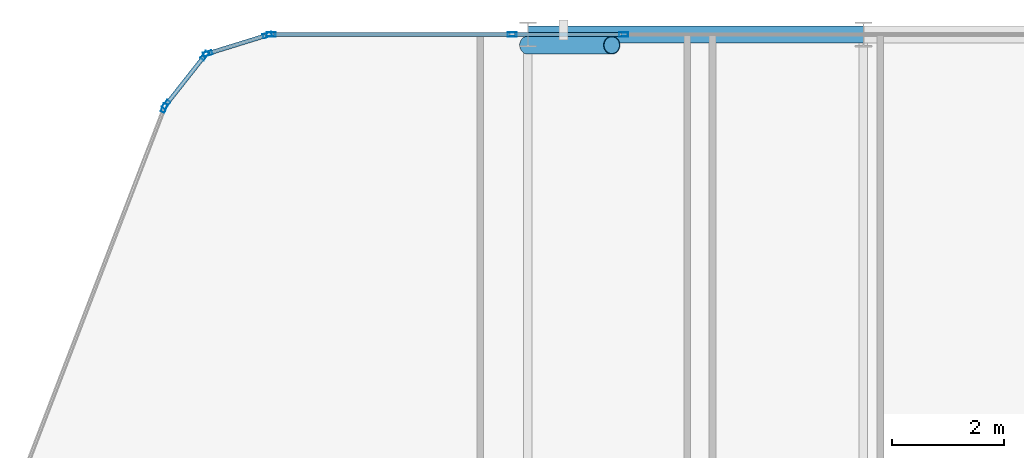
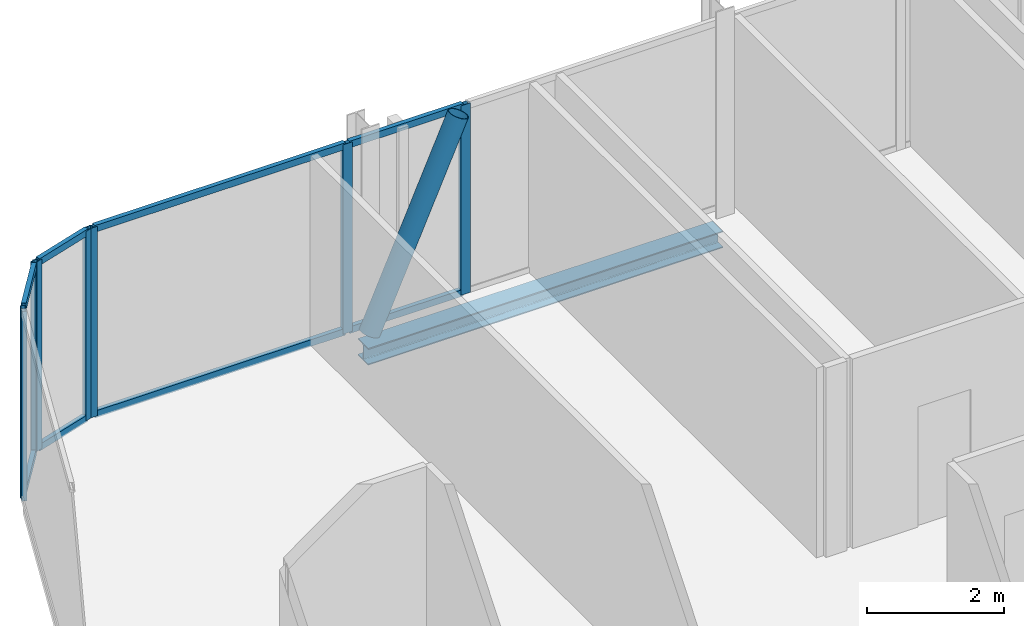
# One storey, part 18 of 29: 17 members, 1 beam, 5 elements without a shape of their own.
"""IFC4 building model written with IfcOpenShell, lengths in metres."""

import ifcopenshell
import ifcopenshell.guid

model = None  # the IFC model being written
_history = None  # IfcOwnerHistory: only IFC2X3 demands one
_inside = {}  # id of a spatial element -> (the spatial element, [elements in it])
_under = {}  # id of a project, library or spatial element -> (it, [spatial elements below it])
_declared = {}  # id of a project -> (the project, [libraries it declares])
_typed = {}  # id of a type object -> (the type object, [elements of that type])
_made_of = {}  # id of a material, layer set ... -> (it, [elements and type objects made of it])


def new_model(schema):
    """Start an empty IFC model of exactly this schema.

    Asked for "IFC4X3", IfcOpenShell would pick the latest addendum, in which some entities
    have other attributes; the version numbers below select the first issue.
    IFC2X3 requires an IfcOwnerHistory on every rooted entity: one is made here for all.
    """
    global model, _history
    if schema == "IFC4X3":
        model = ifcopenshell.file(schema_version=(4, 3, 0, 0))
    else:
        model = ifcopenshell.file(schema=schema)
    _inside.clear()
    _under.clear()
    _declared.clear()
    _typed.clear()
    _made_of.clear()
    _history = None
    if model.schema == "IFC2X3":
        org = make("IfcOrganization", Name="unknown")
        user = make(
            "IfcPersonAndOrganization",
            ThePerson=make("IfcPerson", FamilyName="unknown"),
            TheOrganization=org,
        )
        app = make(
            "IfcApplication",
            ApplicationDeveloper=org,
            Version="unknown",
            ApplicationFullName="unknown",
            ApplicationIdentifier="unknown",
        )
        _history = make(
            "IfcOwnerHistory",
            OwningUser=user,
            OwningApplication=app,
            ChangeAction="ADDED",
            CreationDate=0,
        )
    return model


def make(cls, **values):
    """One entity of the class cls with the attributes given. An attribute that is None is left unset."""
    return model.create_entity(
        cls, **{name: value for name, value in values.items() if value is not None}
    )


def rooted(cls, **values):
    """An entity with a GlobalId (a new one), such as an element, a storey or a relation."""
    return make(cls, GlobalId=ifcopenshell.guid.new(), OwnerHistory=_history, **values)


def si_unit(unit_type, name, prefix=None):
    """IfcSIUnit, for example si_unit("LENGTHUNIT", "METRE", prefix="MILLI")."""
    return make("IfcSIUnit", UnitType=unit_type, Prefix=prefix, Name=name)


def assignment(units):
    """IfcUnitAssignment: the units of a project."""
    return None if units is None else make("IfcUnitAssignment", Units=units)


def point(xyz):
    """IfcCartesianPoint."""
    return None if xyz is None else make("IfcCartesianPoint", Coordinates=xyz)


def direction(xyz):
    """IfcDirection."""
    return None if xyz is None else make("IfcDirection", DirectionRatios=xyz)


def frame(location, z_axis=None, x_axis=None):
    """IfcAxis2Placement3D, a coordinate frame: its origin and axes. An axis left out is left unset."""
    return make(
        "IfcAxis2Placement3D",
        Location=point(location),
        Axis=direction(z_axis),
        RefDirection=direction(x_axis),
    )


def frame_2d(location, x_axis=None):
    """IfcAxis2Placement2D, a coordinate frame in the plane: its origin and x axis."""
    return make(
        "IfcAxis2Placement2D", Location=point(location), RefDirection=direction(x_axis)
    )


def origin():
    """The frame at (0, 0, 0) with its axes left unset."""
    return frame((0.0, 0.0, 0.0))


def origin_2d():
    """The frame at (0, 0) in the plane with its x axis left unset."""
    return frame_2d((0.0, 0.0))


def place(relative_to, where):
    """IfcLocalPlacement: puts the frame where relative to a parent placement (None: the world)."""
    return make(
        "IfcLocalPlacement", PlacementRelTo=relative_to, RelativePlacement=where
    )


def context(
    kind, dimensions, precision=None, world=None, true_north=None, identifier=None
):
    """IfcGeometricRepresentationContext, for example the 3D "Model" context."""
    return make(
        "IfcGeometricRepresentationContext",
        ContextIdentifier=identifier,
        ContextType=kind,
        CoordinateSpaceDimension=dimensions,
        Precision=precision,
        WorldCoordinateSystem=world,
        TrueNorth=true_north,
    )


def subcontext(parent, identifier, kind, view, scale=None):
    """IfcGeometricRepresentationSubContext, for example "Body" below "Model"."""
    return make(
        "IfcGeometricRepresentationSubContext",
        ContextIdentifier=identifier,
        ContextType=kind,
        ParentContext=parent,
        TargetScale=scale,
        TargetView=view,
    )


def project(units=None, contexts=None):
    """IfcProject with its units and contexts."""
    return rooted(
        "IfcProject",
        Name="project",
        RepresentationContexts=contexts,
        UnitsInContext=assignment(units),
    )


def spatial(cls, under=None, at=None, **own):
    """A site, building, storey or space (cls), placed at a placement, below another one or the project."""
    s = rooted(cls, ObjectPlacement=at, **own)
    if under is not None:
        _under.setdefault(under.id(), (under, []))[1].append(s)
    return s


def profile(cls, at=None, kind="AREA", **sizes):
    """A parametric profile (cls). Its sizes go by their IFC names, for example OverallWidth=200.0."""
    return make(cls, ProfileType=kind, Position=at, **sizes)


def hollow_rectangle(**sizes):
    """IfcRectangleHollowProfileDef."""
    return profile("IfcRectangleHollowProfileDef", **sizes)


def hollow_circle(**sizes):
    """IfcCircleHollowProfileDef."""
    return profile("IfcCircleHollowProfileDef", **sizes)


def i_section(**sizes):
    """IfcIShapeProfileDef."""
    return profile("IfcIShapeProfileDef", **sizes)


def extrude(swept, where, along, depth):
    """IfcExtrudedAreaSolid: the profile swept, set in the frame where, extruded along a direction by depth."""
    return make(
        "IfcExtrudedAreaSolid",
        SweptArea=swept,
        Position=where,
        ExtrudedDirection=direction(along),
        Depth=depth,
    )


def shape(context_of_items, identifier, shape_type, items):
    """IfcShapeRepresentation: the items that make up one representation, for example the "Body"."""
    return make(
        "IfcShapeRepresentation",
        ContextOfItems=context_of_items,
        RepresentationIdentifier=identifier,
        RepresentationType=shape_type,
        Items=items,
    )


def material(Name=None, Category=None):
    """IfcMaterial."""
    return make("IfcMaterial", Name=Name, Category=Category)


def layer(
    of_material, thickness, ventilated=None, Name=None, Category=None, Priority=None
):
    """IfcMaterialLayer: one layer of a wall or slab, of a material (None: an air gap)."""
    return make(
        "IfcMaterialLayer",
        Material=of_material,
        LayerThickness=thickness,
        IsVentilated=ventilated,
        Name=Name,
        Category=Category,
        Priority=Priority,
    )


def layer_set(layers, Name=None):
    """IfcMaterialLayerSet."""
    return make("IfcMaterialLayerSet", MaterialLayers=layers, LayerSetName=Name)


def material_profile(
    of_material, cross_section, Name=None, Category=None, Priority=None
):
    """IfcMaterialProfile: a cross section and its material."""
    return make(
        "IfcMaterialProfile",
        Name=Name,
        Material=of_material,
        Profile=cross_section,
        Priority=Priority,
        Category=Category,
    )


def profile_set(profiles, Name=None, composite=None):
    """IfcMaterialProfileSet."""
    return make(
        "IfcMaterialProfileSet",
        Name=Name,
        MaterialProfiles=profiles,
        CompositeProfile=composite,
    )


def made_of(thing, what):
    """Note that an element or type object is made of a material, layer set ...; save() writes the relation."""
    if what is not None:
        _made_of.setdefault(what.id(), (what, []))[1].append(thing)
    return thing


def type_object(cls, material=None, **own):
    """A type object (cls), such as IfcWallType, which elements share."""
    return made_of(rooted(cls, **own), material)


def element(
    cls,
    number,
    at=None,
    inside=None,
    cuts=None,
    type_object=None,
    material=None,
    context=None,
    identifier="Body",
    shape_type=None,
    held_by="IfcProductDefinitionShape",
    body=None,
    shapes=None,
    **own,
):
    """One element of the class cls, such as IfcWall. Its Tag is "e" and its number.

    at: its placement. inside: the storey or other place that contains it. cuts: it is an
    opening in that element (IfcRelVoidsElement). A single representation is given by context,
    identifier, shape_type and body (its items); several are given by shapes. held_by: the class
    of the entity that holds the representations. save() writes the other relations.
    """
    e = rooted(cls, Tag="e%d" % number, ObjectPlacement=at, **own)
    if body is not None:
        shapes = [shape(context, identifier, shape_type, body)]
    if shapes is not None:
        e.Representation = make(held_by, Representations=shapes)
    if inside is not None:
        _inside.setdefault(inside.id(), (inside, []))[1].append(e)
    if cuts is not None:
        rooted(
            "IfcRelVoidsElement", RelatingBuildingElement=cuts, RelatedOpeningElement=e
        )
    if type_object is not None:
        _typed.setdefault(type_object.id(), (type_object, []))[1].append(e)
    return made_of(e, material)


def aggregate(whole, parts):
    """IfcRelAggregates: a whole, such as a stair, and the parts it consists of."""
    return rooted("IfcRelAggregates", RelatingObject=whole, RelatedObjects=parts)


def save(model, path):
    """Write the relations noted so far, then the file.

    IfcRelAggregates (storeys below a building ...), IfcRelContainedInSpatialStructure (elements
    in a storey), IfcRelDefinesByType, IfcRelAssociatesMaterial and IfcRelDeclares: one each for
    every whole, place, type object, material and project.
    """
    for whole, parts in _under.values():
        aggregate(whole, parts)
    for where, things in _inside.values():
        rooted(
            "IfcRelContainedInSpatialStructure",
            RelatedElements=things,
            RelatingStructure=where,
        )
    for kind, things in _typed.values():
        rooted("IfcRelDefinesByType", RelatedObjects=things, RelatingType=kind)
    for what, things in _made_of.values():
        rooted("IfcRelAssociatesMaterial", RelatedObjects=things, RelatingMaterial=what)
    for by, libraries in _declared.values():
        rooted("IfcRelDeclares", RelatingContext=by, RelatedDefinitions=libraries)
    model.write(path)


model = new_model("IFC4")

# Units and contexts
model_context = context("Model", 3, precision=1e-05, world=origin(), true_north=direction((0.0, 1.0)))
body_context = subcontext(model_context, "Body", "Model", "MODEL_VIEW")
ifc_project = project(units=[si_unit("LENGTHUNIT", "METRE"), si_unit("AREAUNIT", "SQUARE_METRE"), si_unit("VOLUMEUNIT", "CUBIC_METRE"), si_unit("PLANEANGLEUNIT", "RADIAN"), si_unit("MASSUNIT", "GRAM", prefix="KILO")], contexts=[model_context])

# Site, building, storey
site_placement = place(None, origin())
site = spatial("IfcSite", under=ifc_project, at=site_placement, CompositionType="ELEMENT")
building_placement = place(site_placement, origin())
building = spatial("IfcBuilding", under=site, at=building_placement, Name="Keshet Zoharim Tower", CompositionType="ELEMENT")
storey_placement = place(building_placement, frame((0.0, 0.0, 195.800048828125)))
storey = spatial("IfcBuildingStorey", under=building, at=storey_placement, Name="L48", CompositionType="ELEMENT", Elevation=195.800048828125)

# Beam
ifc_material_1 = material(Name="Steel S355", Category="steel")
ifc_material_profile_1 = material_profile(ifc_material_1, i_section(OverallWidth=0.300048828125, OverallDepth=0.300048828125, WebThickness=0.010986328125, FlangeThickness=0.01904296875, FilletRadius=0.027099609375, at=origin_2d()), Name="HEB300")
ifc_profile_set_1 = profile_set([ifc_material_profile_1], Name="Steel S355")
beam_type = type_object("IfcBeamType", Name="BM-PRI-HB300", PredefinedType="BEAM", material=ifc_profile_set_1)
beam_placement = place(storey_placement, frame((21.0, 53.89990234375, -0.4599609375), z_axis=(1.0, 0.0, 0.0), x_axis=(0.0, 1.0, 0.0)))
element("IfcBeam", 1, at=beam_placement, inside=storey, type_object=beam_type, Name="L48 Primary Girder X-019", PredefinedType="BEAM", context=body_context, shape_type="SweptSolid", body=[
    extrude(i_section(OverallWidth=0.300048828125, OverallDepth=0.300048828125, WebThickness=0.010986328125, FlangeThickness=0.01904296875, FilletRadius=0.027099609375, at=origin_2d()), origin(), (0.0, 0.0, 1.0), 6.0),
])

# Curtain wall, member
ifc_material_2 = material(Name="Aluminium 6063-T6", Category="aluminium")
ifc_layer = layer(ifc_material_2, 0.139892578125)
ifc_layer_set = layer_set([ifc_layer], Name="Aluminium 6063-T6")
curtain_wall_type = type_object("IfcCurtainWallType", Name="CW-SYS-05", PredefinedType="NOTDEFINED", material=ifc_layer_set)
curtain_wall_1_placement = place(storey_placement, origin())
curtain_wall_1 = element("IfcCurtainWall", 2, at=curtain_wall_1_placement, inside=storey, type_object=curtain_wall_type, Name="L48 Unitised Curtain Wall 13", PredefinedType="NOTDEFINED")
ifc_material_profile_2 = material_profile(ifc_material_2, hollow_rectangle(XDim=0.074951171875, YDim=0.159912109375, WallThickness=0.00390625, at=origin_2d()), Name="MUL-75x160")
ifc_profile_set_2 = profile_set([ifc_material_profile_2], Name="Aluminium 6063-T6")
member_type_1 = type_object("IfcMemberType", Name="CWM-M15", PredefinedType="MULLION", material=ifc_profile_set_2)
member_1_placement = place(storey_placement, frame((14.494384765625, 52.58544921875, 0.0), z_axis=(0.0, 0.0, 1.0), x_axis=(-0.933341404361, 0.358990003907, 0.0)))
member_1 = element("IfcMember", 3, at=member_1_placement, type_object=member_type_1, Name="CW-05 mullion 4", PredefinedType="MULLION", context=body_context, shape_type="SweptSolid", body=[
    extrude(hollow_rectangle(XDim=0.074951171875, YDim=0.159912109375, WallThickness=0.00390625, at=origin_2d()), origin(), (0.0, 0.0, 1.0), 3.389892578125),
])
aggregate(curtain_wall_1, [member_1])

# Curtain wall, members
curtain_wall_2_placement = place(storey_placement, origin())
curtain_wall_2 = element("IfcCurtainWall", 4, at=curtain_wall_2_placement, inside=storey, type_object=curtain_wall_type, Name="L48 Unitised Curtain Wall 14", PredefinedType="NOTDEFINED")
member_2_placement = place(storey_placement, frame((14.528564453125, 52.6455078125, 0.0), z_axis=(0.0, 0.0, 1.0), x_axis=(-0.785292825205, 0.619124525989, 0.0)))
member_2 = element("IfcMember", 5, at=member_2_placement, type_object=member_type_1, Name="CW-05 mullion 1", PredefinedType="MULLION", context=body_context, shape_type="SweptSolid", body=[
    extrude(hollow_rectangle(XDim=0.074951171875, YDim=0.159912109375, WallThickness=0.00390625, at=origin_2d()), origin(), (0.0, 0.0, 1.0), 3.389892578125),
])
member_3_placement = place(storey_placement, frame((15.21923828125, 53.521484375, 0.0), z_axis=(0.0, 0.0, 1.0), x_axis=(-0.785292825205, 0.619124525989, 0.0)))
member_3 = element("IfcMember", 6, at=member_3_placement, type_object=member_type_1, Name="CW-05 mullion 2", PredefinedType="MULLION", context=body_context, shape_type="SweptSolid", body=[
    extrude(hollow_rectangle(XDim=0.074951171875, YDim=0.159912109375, WallThickness=0.00390625, at=origin_2d()), origin(), (0.0, 0.0, 1.0), 3.389892578125),
])

curtain_wall_3_placement = place(storey_placement, origin())
curtain_wall_3 = element("IfcCurtainWall", 7, at=curtain_wall_3_placement, inside=storey, type_object=curtain_wall_type, Name="L48 Unitised Curtain Wall 15", PredefinedType="NOTDEFINED")
member_4_placement = place(storey_placement, frame((15.2744140625, 53.559326171875, 0.0), z_axis=(0.0, 0.0, 1.0), x_axis=(-0.295921857984, 0.955212151288, 0.0)))
member_4 = element("IfcMember", 8, at=member_4_placement, type_object=member_type_1, Name="CW-05 mullion 1", PredefinedType="MULLION", context=body_context, shape_type="SweptSolid", body=[
    extrude(hollow_rectangle(XDim=0.074951171875, YDim=0.159912109375, WallThickness=0.00390625, at=origin_2d()), origin(), (0.0, 0.0, 1.0), 3.389892578125),
])
member_5_placement = place(storey_placement, frame((16.340576171875, 53.8896484375, 0.0), z_axis=(0.0, 0.0, 1.0), x_axis=(-0.295921857984, 0.955212151288, 0.0)))
member_5 = element("IfcMember", 9, at=member_5_placement, type_object=member_type_1, Name="CW-05 mullion 2", PredefinedType="MULLION", context=body_context, shape_type="SweptSolid", body=[
    extrude(hollow_rectangle(XDim=0.074951171875, YDim=0.159912109375, WallThickness=0.00390625, at=origin_2d()), origin(), (0.0, 0.0, 1.0), 3.389892578125),
])

curtain_wall_4_placement = place(storey_placement, origin())
curtain_wall_4 = element("IfcCurtainWall", 10, at=curtain_wall_4_placement, inside=storey, type_object=curtain_wall_type, Name="L48 Unitised Curtain Wall 16", PredefinedType="NOTDEFINED")
member_6_placement = place(storey_placement, frame((16.408935546875, 53.89990234375, 0.0), z_axis=(0.0, 0.0, 1.0), x_axis=(0.0, 1.0, 0.0)))
member_6 = element("IfcMember", 11, at=member_6_placement, type_object=member_type_1, Name="CW-05 mullion 1", PredefinedType="MULLION", context=body_context, shape_type="SweptSolid", body=[
    extrude(hollow_rectangle(XDim=0.074951171875, YDim=0.159912109375, WallThickness=0.00390625, at=origin_2d()), origin(), (0.0, 0.0, 1.0), 3.389892578125),
])
member_7_placement = place(storey_placement, frame((20.716796875, 53.89990234375, 0.0), z_axis=(0.0, 0.0, 1.0), x_axis=(0.0, 1.0, 0.0)))
member_7 = element("IfcMember", 12, at=member_7_placement, type_object=member_type_1, Name="CW-05 mullion 2", PredefinedType="MULLION", context=body_context, shape_type="SweptSolid", body=[
    extrude(hollow_rectangle(XDim=0.074951171875, YDim=0.159912109375, WallThickness=0.00390625, at=origin_2d()), origin(), (0.0, 0.0, 1.0), 3.389892578125),
])

# Curtain wall, member
curtain_wall_5_placement = place(storey_placement, origin())
curtain_wall_5 = element("IfcCurtainWall", 13, at=curtain_wall_5_placement, inside=storey, type_object=curtain_wall_type, Name="L48 Unitised Curtain Wall 16 Part 2", PredefinedType="NOTDEFINED")
member_8_placement = place(storey_placement, frame((22.713134765625, 53.89990234375, 0.0), z_axis=(0.0, 0.0, 1.0), x_axis=(0.0, 1.0, 0.0)))
member_8 = element("IfcMember", 14, at=member_8_placement, type_object=member_type_1, Name="CW-05 mullion 2", PredefinedType="MULLION", context=body_context, shape_type="SweptSolid", body=[
    extrude(hollow_rectangle(XDim=0.074951171875, YDim=0.159912109375, WallThickness=0.00390625, at=origin_2d()), origin(), (0.0, 0.0, 1.0), 3.389892578125),
])

# Member
ifc_material_profile_3 = material_profile(ifc_material_2, hollow_rectangle(XDim=0.074951171875, YDim=0.1201171875, WallThickness=0.00390625, at=origin_2d()), Name="TRN-75x120")
ifc_profile_set_3 = profile_set([ifc_material_profile_3], Name="Aluminium 6063-T6")
member_type_2 = type_object("IfcMemberType", Name="CWT-T12", PredefinedType="USERDEFINED", material=ifc_profile_set_3)
member_9_placement = place(storey_placement, frame((14.55029296875, 52.6728515625, 0.034912109375), z_axis=(0.619099165969, 0.78531281837, 0.0), x_axis=(-0.78531281837, 0.619099165969, 0.0)))
member_9 = element("IfcMember", 15, at=member_9_placement, type_object=member_type_2, Name="CW-05 transom 1.1", ObjectType="TRANSOM", PredefinedType="USERDEFINED", context=body_context, shape_type="SweptSolid", body=[
    extrude(hollow_rectangle(XDim=0.074951171875, YDim=0.1201171875, WallThickness=0.00390625, at=origin_2d()), origin(), (0.0, 0.0, 1.0), 1.0458984375),
])

member_10_placement = place(storey_placement, frame((14.55029296875, 52.6728515625, 3.35498046875), z_axis=(0.619099165969, 0.78531281837, 0.0), x_axis=(-0.78531281837, 0.619099165969, 0.0)))
member_10 = element("IfcMember", 16, at=member_10_placement, type_object=member_type_2, Name="CW-05 transom 1.2", ObjectType="TRANSOM", PredefinedType="USERDEFINED", context=body_context, shape_type="SweptSolid", body=[
    extrude(hollow_rectangle(XDim=0.074951171875, YDim=0.1201171875, WallThickness=0.00390625, at=origin_2d()), origin(), (0.0, 0.0, 1.0), 1.0458984375),
])

aggregate(curtain_wall_2, [member_2, member_3, member_9, member_10])

member_11_placement = place(storey_placement, frame((15.307861328125, 53.56982421875, 0.034912109375), z_axis=(0.955212093062, 0.295922045933, 0.0), x_axis=(-0.295922045933, 0.955212093062, 0.0)))
member_11 = element("IfcMember", 17, at=member_11_placement, type_object=member_type_2, Name="CW-05 transom 1.1", ObjectType="TRANSOM", PredefinedType="USERDEFINED", context=body_context, shape_type="SweptSolid", body=[
    extrude(hollow_rectangle(XDim=0.074951171875, YDim=0.1201171875, WallThickness=0.00390625, at=origin_2d()), origin(), (0.0, 0.0, 1.0), 1.046142578125),
])

member_12_placement = place(storey_placement, frame((15.307861328125, 53.56982421875, 3.35498046875), z_axis=(0.955212093062, 0.295922045933, 0.0), x_axis=(-0.295922045933, 0.955212093062, 0.0)))
member_12 = element("IfcMember", 18, at=member_12_placement, type_object=member_type_2, Name="CW-05 transom 1.2", ObjectType="TRANSOM", PredefinedType="USERDEFINED", context=body_context, shape_type="SweptSolid", body=[
    extrude(hollow_rectangle(XDim=0.074951171875, YDim=0.1201171875, WallThickness=0.00390625, at=origin_2d()), origin(), (0.0, 0.0, 1.0), 1.046142578125),
])

aggregate(curtain_wall_3, [member_4, member_5, member_11, member_12])

member_13_placement = place(storey_placement, frame((16.444091796875, 53.89990234375, 0.034912109375), z_axis=(1.0, 0.0, 0.0), x_axis=(0.0, 1.0, 0.0)))
member_13 = element("IfcMember", 19, at=member_13_placement, type_object=member_type_2, Name="CW-05 transom 1.1", ObjectType="TRANSOM", PredefinedType="USERDEFINED", context=body_context, shape_type="SweptSolid", body=[
    extrude(hollow_rectangle(XDim=0.074951171875, YDim=0.1201171875, WallThickness=0.00390625, at=origin_2d()), origin(), (0.0, 0.0, 1.0), 4.23779296875),
])

member_14_placement = place(storey_placement, frame((16.444091796875, 53.89990234375, 3.35498046875), z_axis=(1.0, 0.0, 0.0), x_axis=(0.0, 1.0, 0.0)))
member_14 = element("IfcMember", 20, at=member_14_placement, type_object=member_type_2, Name="CW-05 transom 1.2", ObjectType="TRANSOM", PredefinedType="USERDEFINED", context=body_context, shape_type="SweptSolid", body=[
    extrude(hollow_rectangle(XDim=0.074951171875, YDim=0.1201171875, WallThickness=0.00390625, at=origin_2d()), origin(), (0.0, 0.0, 1.0), 4.23779296875),
])

aggregate(curtain_wall_4, [member_6, member_7, member_13, member_14])

member_15_placement = place(storey_placement, frame((20.751953125, 53.89990234375, 0.034912109375), z_axis=(1.0, 0.0, 0.0), x_axis=(0.0, 1.0, 0.0)))
member_15 = element("IfcMember", 21, at=member_15_placement, type_object=member_type_2, Name="CW-05 transom 1.1", ObjectType="TRANSOM", PredefinedType="USERDEFINED", context=body_context, shape_type="SweptSolid", body=[
    extrude(hollow_rectangle(XDim=0.074951171875, YDim=0.1201171875, WallThickness=0.00390625, at=origin_2d()), origin(), (0.0, 0.0, 1.0), 1.926025390625),
])

member_16_placement = place(storey_placement, frame((20.751953125, 53.89990234375, 3.35498046875), z_axis=(1.0, 0.0, 0.0), x_axis=(0.0, 1.0, 0.0)))
member_16 = element("IfcMember", 22, at=member_16_placement, type_object=member_type_2, Name="CW-05 transom 1.2", ObjectType="TRANSOM", PredefinedType="USERDEFINED", context=body_context, shape_type="SweptSolid", body=[
    extrude(hollow_rectangle(XDim=0.074951171875, YDim=0.1201171875, WallThickness=0.00390625, at=origin_2d()), origin(), (0.0, 0.0, 1.0), 1.926025390625),
])

aggregate(curtain_wall_5, [member_8, member_15, member_16])

ifc_material_profile_4 = material_profile(ifc_material_1, hollow_circle(Radius=0.161865234375, WallThickness=0.012451171875, at=origin_2d()), Name="CHS323x12.5")
ifc_profile_set_4 = profile_set([ifc_material_profile_4], Name="Steel S355")
member_type_3 = type_object("IfcMemberType", Name="MB-BR-C323", PredefinedType="BRACE", material=ifc_profile_set_4)
member_17_placement = place(storey_placement, frame((21.0, 53.7099609375, 0.0), z_axis=(0.40464689807, 0.0, 0.914473011019), x_axis=(0.0, 1.0, 0.0)))
element("IfcMember", 23, at=member_17_placement, inside=storey, type_object=member_type_3, Name="L48 Perimeter Tube Brace 02", PredefinedType="BRACE", context=body_context, shape_type="SweptSolid", body=[
    extrude(hollow_circle(Radius=0.161865234375, WallThickness=0.012451171875, at=origin_2d()), origin(), (0.0, 0.0, 1.0), 3.70703125),
])

save(model, "model.ifc")
